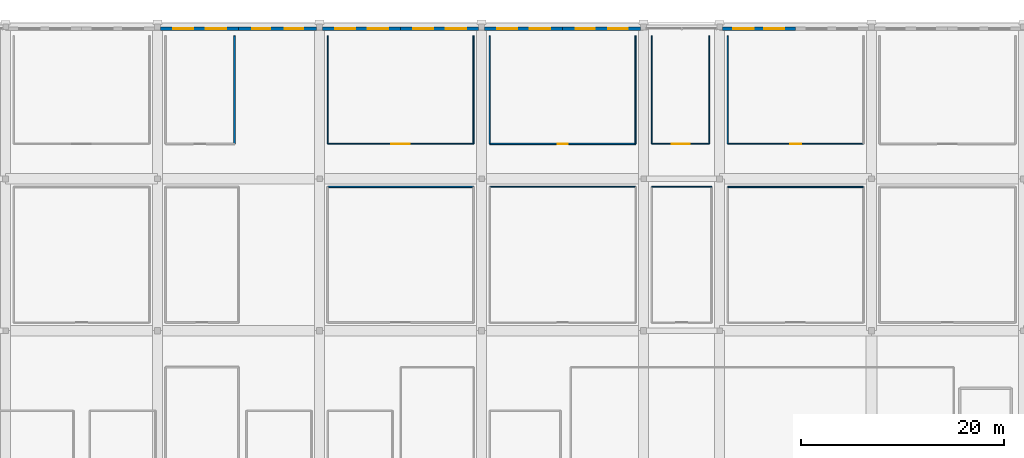
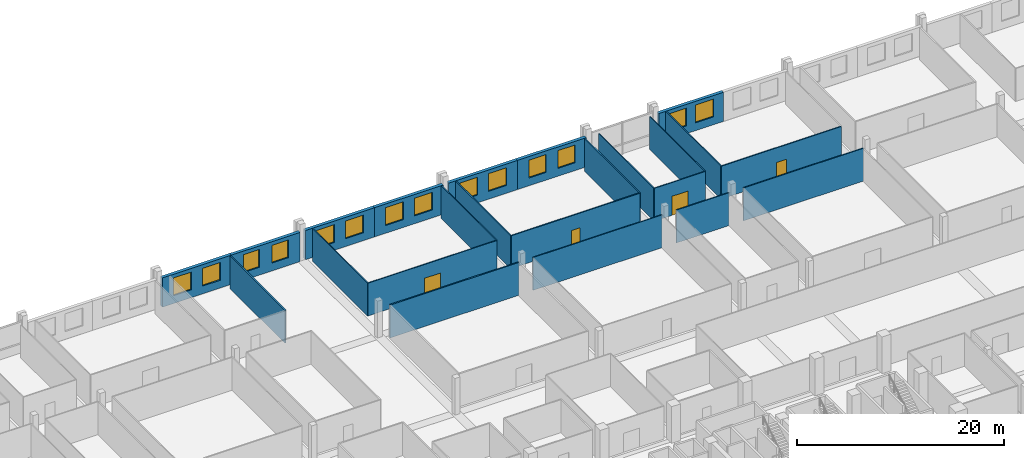
# One storey, part 51 of 68: 23 walls, 14 windows, 4 doors, 18 openings.
"""IFC4 building model written with IfcOpenShell, lengths in metres."""

from ifc_helpers import new_model, si_unit, direction, frame, frame_2d, origin, place, context, subcontext, project, spatial, rectangle, extrude, material, layer, layer_set, type_object, element, fill, save


model = new_model("IFC4")

# Units and contexts
model_context = context("Model", 3, precision=1e-05, world=origin(), true_north=direction((0.0, 1.0)))
body_context = subcontext(model_context, "Body", "Model", "MODEL_VIEW")
ifc_project = project(units=[si_unit("LENGTHUNIT", "METRE"), si_unit("AREAUNIT", "SQUARE_METRE"), si_unit("VOLUMEUNIT", "CUBIC_METRE"), si_unit("PLANEANGLEUNIT", "RADIAN"), si_unit("MASSUNIT", "GRAM", prefix="KILO")], contexts=[model_context])

# Site, building, storey
site_placement = place(None, origin())
site = spatial("IfcSite", under=ifc_project, at=site_placement, CompositionType="ELEMENT")
building_placement = place(site_placement, origin())
building = spatial("IfcBuilding", under=site, at=building_placement, Name="Akrevak Sports Hall", CompositionType="ELEMENT")
storey_placement = place(building_placement, frame((0.0, 0.0, 9.39990234375)))
storey = spatial("IfcBuildingStorey", under=building, at=storey_placement, Name="L02", CompositionType="ELEMENT", Elevation=9.39990234375)

# Wall, openings, windows
ifc_material_1 = material(Name="Limestone Ashlar", Category="stone")
ifc_layer_1 = layer(ifc_material_1, 0.080078125, Name="Limestone Ashlar")
ifc_material_2 = material(Name="Mineral Wool Thermal Insulation", Category="insulation")
ifc_layer_2 = layer(ifc_material_2, 0.10009765625, Name="Mineral Wool Thermal Insulation")
ifc_material_3 = material(Name="Concrete C40/50", Category="concrete")
ifc_layer_3 = layer(ifc_material_3, 0.179931640625, Name="Concrete C40/50")
ifc_layer_set_1 = layer_set([ifc_layer_1, ifc_layer_2, ifc_layer_3], Name="Limestone Ashlar / Mineral Wool Thermal Insulation / Concrete C40/50")
wall_type_1 = type_object("IfcWallType", Name="ARC-WL-EXT-360", PredefinedType="SOLIDWALL", material=ifc_layer_set_1)
wall_1_placement = place(storey_placement, frame((68.0, 113.820068359375, 0.0), z_axis=(0.0, 0.0, 1.0), x_axis=(-1.0, 0.0, 0.0)))
wall_1 = element("IfcWall", 1, at=wall_1_placement, inside=storey, type_object=wall_type_1, Name="Exterior Limestone Wall L02-N09", PredefinedType="SOLIDWALL", context=body_context, shape_type="SweptSolid", body=[
    extrude(rectangle(XDim=7.699951171875, YDim=0.360107421875, at=frame_2d((3.85009765625, 0.0))), origin(), (0.0, 0.0, 1.0), 3.4501953125),
])
opening_1_placement = place(wall_1_placement, frame((4.467041015625, 0.0, 0.919921875)))
opening_1 = element("IfcOpeningElement", 2, at=opening_1_placement, cuts=wall_1, Name="Opening WN-36", PredefinedType="OPENING", context=body_context, shape_type="SweptSolid", body=[
    extrude(rectangle(XDim=2.0, YDim=2.10009765625, at=frame_2d((1.0, 1.050048828125))), frame((0.0, 0.19189453125, 0.0), z_axis=(0.0, -1.0, 0.0), x_axis=(1.0, 0.0, 0.0)), (0.0, 0.0, 1.0), 0.384033203125),
])
opening_2_placement = place(wall_1_placement, frame((1.23291015625, 0.0, 0.919921875)))
opening_2 = element("IfcOpeningElement", 3, at=opening_2_placement, cuts=wall_1, Name="Opening WN-36", PredefinedType="OPENING", context=body_context, shape_type="SweptSolid", body=[
    extrude(rectangle(XDim=2.0, YDim=2.10009765625, at=frame_2d((1.0, 1.050048828125))), frame((0.0, 0.19189453125, 0.0), z_axis=(0.0, -1.0, 0.0), x_axis=(1.0, 0.0, 0.0)), (0.0, 0.0, 1.0), 0.384033203125),
])
ifc_material_4 = material(Name="Thermally Broken Bronze Frame & Double Low-E Glass", Category="glass")
window_type_1 = type_object("IfcWindowType", Name="ARC-WIN-SZ-2000x2100", PartitioningType="SINGLE_PANEL", PredefinedType="WINDOW", material=ifc_material_4)
window_1_placement = place(opening_1_placement, origin())
window_1 = element("IfcWindow", 4, at=window_1_placement, inside=storey, type_object=window_type_1, Name="Beaux-Arts Facade Window WIN-L02-N09-1", OverallHeight=2.10009765625, OverallWidth=2.0, PartitioningType="SINGLE_PANEL", PredefinedType="WINDOW", context=body_context, shape_type="SweptSolid", body=[
    extrude(rectangle(XDim=2.0, YDim=2.10009765625, at=frame_2d((1.0, 1.050048828125))), frame((0.0, 0.030029296875, 0.0), z_axis=(0.0, -1.0, 0.0), x_axis=(1.0, 0.0, 0.0)), (0.0, 0.0, 1.0), 0.06005859375),
])
fill(opening_1, window_1)
window_2_placement = place(opening_2_placement, origin())
window_2 = element("IfcWindow", 5, at=window_2_placement, inside=storey, type_object=window_type_1, Name="Beaux-Arts Facade Window WIN-L02-N09-2", OverallHeight=2.10009765625, OverallWidth=2.0, PartitioningType="SINGLE_PANEL", PredefinedType="WINDOW", context=body_context, shape_type="SweptSolid", body=[
    extrude(rectangle(XDim=2.0, YDim=2.10009765625, at=frame_2d((1.0, 1.050048828125))), frame((0.0, 0.030029296875, 0.0), z_axis=(0.0, -1.0, 0.0), x_axis=(1.0, 0.0, 0.0)), (0.0, 0.0, 1.0), 0.06005859375),
])
fill(opening_2, window_2)

wall_2_placement = place(storey_placement, frame((75.699951171875, 113.820068359375, 0.0), z_axis=(0.0, 0.0, 1.0), x_axis=(-1.0, 0.0, 0.0)))
wall_2 = element("IfcWall", 6, at=wall_2_placement, inside=storey, type_object=wall_type_1, Name="Exterior Limestone Wall L02-N10", PredefinedType="SOLIDWALL", context=body_context, shape_type="SweptSolid", body=[
    extrude(rectangle(XDim=7.699951171875, YDim=0.360107421875, at=frame_2d((3.85009765625, 0.0))), origin(), (0.0, 0.0, 1.0), 3.4501953125),
])
opening_3_placement = place(wall_2_placement, frame((4.56689453125, 0.0, 0.919921875)))
opening_3 = element("IfcOpeningElement", 7, at=opening_3_placement, cuts=wall_2, Name="Opening WN-37", PredefinedType="OPENING", context=body_context, shape_type="SweptSolid", body=[
    extrude(rectangle(XDim=1.800048828125, YDim=2.10009765625, at=frame_2d((0.89990234375, 1.050048828125))), frame((0.0, 0.19189453125, 0.0), z_axis=(0.0, -1.0, 0.0), x_axis=(1.0, 0.0, 0.0)), (0.0, 0.0, 1.0), 0.384033203125),
])
opening_4_placement = place(wall_2_placement, frame((1.3330078125, 0.0, 0.919921875)))
opening_4 = element("IfcOpeningElement", 8, at=opening_4_placement, cuts=wall_2, Name="Opening WN-37", PredefinedType="OPENING", context=body_context, shape_type="SweptSolid", body=[
    extrude(rectangle(XDim=1.800048828125, YDim=2.10009765625, at=frame_2d((0.89990234375, 1.050048828125))), frame((0.0, 0.19189453125, 0.0), z_axis=(0.0, -1.0, 0.0), x_axis=(1.0, 0.0, 0.0)), (0.0, 0.0, 1.0), 0.384033203125),
])
window_type_2 = type_object("IfcWindowType", Name="ARC-WIN-SZ-1800x2100", PartitioningType="SINGLE_PANEL", PredefinedType="WINDOW", material=ifc_material_4)
window_3_placement = place(opening_3_placement, origin())
window_3 = element("IfcWindow", 9, at=window_3_placement, inside=storey, type_object=window_type_2, Name="Beaux-Arts Facade Window WIN-L02-N10-1", OverallHeight=2.10009765625, OverallWidth=1.800048828125, PartitioningType="SINGLE_PANEL", PredefinedType="WINDOW", context=body_context, shape_type="SweptSolid", body=[
    extrude(rectangle(XDim=1.800048828125, YDim=2.10009765625, at=frame_2d((0.89990234375, 1.050048828125))), frame((0.0, 0.030029296875, 0.0), z_axis=(0.0, -1.0, 0.0), x_axis=(1.0, 0.0, 0.0)), (0.0, 0.0, 1.0), 0.06005859375),
])
fill(opening_3, window_3)
window_4_placement = place(opening_4_placement, origin())
window_4 = element("IfcWindow", 10, at=window_4_placement, inside=storey, type_object=window_type_2, Name="Beaux-Arts Facade Window WIN-L02-N10-2", OverallHeight=2.10009765625, OverallWidth=1.800048828125, PartitioningType="SINGLE_PANEL", PredefinedType="WINDOW", context=body_context, shape_type="SweptSolid", body=[
    extrude(rectangle(XDim=1.800048828125, YDim=2.10009765625, at=frame_2d((0.89990234375, 1.050048828125))), frame((0.0, 0.030029296875, 0.0), z_axis=(0.0, -1.0, 0.0), x_axis=(1.0, 0.0, 0.0)), (0.0, 0.0, 1.0), 0.06005859375),
])
fill(opening_4, window_4)

wall_3_placement = place(storey_placement, frame((84.0, 113.820068359375, 0.0), z_axis=(0.0, 0.0, 1.0), x_axis=(-1.0, 0.0, 0.0)))
wall_3 = element("IfcWall", 11, at=wall_3_placement, inside=storey, type_object=wall_type_1, Name="Exterior Limestone Wall L02-N11", PredefinedType="SOLIDWALL", context=body_context, shape_type="SweptSolid", body=[
    extrude(rectangle(XDim=7.699951171875, YDim=0.360107421875, at=frame_2d((3.85009765625, 0.0))), origin(), (0.0, 0.0, 1.0), 3.4501953125),
])
opening_5_placement = place(wall_3_placement, frame((4.467041015625, 0.0, 0.919921875)))
opening_5 = element("IfcOpeningElement", 12, at=opening_5_placement, cuts=wall_3, Name="Opening WN-36", PredefinedType="OPENING", context=body_context, shape_type="SweptSolid", body=[
    extrude(rectangle(XDim=2.0, YDim=2.10009765625, at=frame_2d((1.0, 1.050048828125))), frame((0.0, 0.19189453125, 0.0), z_axis=(0.0, -1.0, 0.0), x_axis=(1.0, 0.0, 0.0)), (0.0, 0.0, 1.0), 0.384033203125),
])
opening_6_placement = place(wall_3_placement, frame((1.23291015625, 0.0, 0.919921875)))
opening_6 = element("IfcOpeningElement", 13, at=opening_6_placement, cuts=wall_3, Name="Opening WN-36", PredefinedType="OPENING", context=body_context, shape_type="SweptSolid", body=[
    extrude(rectangle(XDim=2.0, YDim=2.10009765625, at=frame_2d((1.0, 1.050048828125))), frame((0.0, 0.19189453125, 0.0), z_axis=(0.0, -1.0, 0.0), x_axis=(1.0, 0.0, 0.0)), (0.0, 0.0, 1.0), 0.384033203125),
])
window_5_placement = place(opening_5_placement, origin())
window_5 = element("IfcWindow", 14, at=window_5_placement, inside=storey, type_object=window_type_1, Name="Beaux-Arts Facade Window WIN-L02-N11-1", OverallHeight=2.10009765625, OverallWidth=2.0, PartitioningType="SINGLE_PANEL", PredefinedType="WINDOW", context=body_context, shape_type="SweptSolid", body=[
    extrude(rectangle(XDim=2.0, YDim=2.10009765625, at=frame_2d((1.0, 1.050048828125))), frame((0.0, 0.030029296875, 0.0), z_axis=(0.0, -1.0, 0.0), x_axis=(1.0, 0.0, 0.0)), (0.0, 0.0, 1.0), 0.06005859375),
])
fill(opening_5, window_5)
window_6_placement = place(opening_6_placement, origin())
window_6 = element("IfcWindow", 15, at=window_6_placement, inside=storey, type_object=window_type_1, Name="Beaux-Arts Facade Window WIN-L02-N11-2", OverallHeight=2.10009765625, OverallWidth=2.0, PartitioningType="SINGLE_PANEL", PredefinedType="WINDOW", context=body_context, shape_type="SweptSolid", body=[
    extrude(rectangle(XDim=2.0, YDim=2.10009765625, at=frame_2d((1.0, 1.050048828125))), frame((0.0, 0.030029296875, 0.0), z_axis=(0.0, -1.0, 0.0), x_axis=(1.0, 0.0, 0.0)), (0.0, 0.0, 1.0), 0.06005859375),
])
fill(opening_6, window_6)

wall_4_placement = place(storey_placement, frame((91.699951171875, 113.820068359375, 0.0), z_axis=(0.0, 0.0, 1.0), x_axis=(-1.0, 0.0, 0.0)))
wall_4 = element("IfcWall", 16, at=wall_4_placement, inside=storey, type_object=wall_type_1, Name="Exterior Limestone Wall L02-N12", PredefinedType="SOLIDWALL", context=body_context, shape_type="SweptSolid", body=[
    extrude(rectangle(XDim=7.699951171875, YDim=0.360107421875, at=frame_2d((3.85009765625, 0.0))), origin(), (0.0, 0.0, 1.0), 3.4501953125),
])
opening_7_placement = place(wall_4_placement, frame((4.467041015625, 0.0, 0.919921875)))
opening_7 = element("IfcOpeningElement", 17, at=opening_7_placement, cuts=wall_4, Name="Opening WN-36", PredefinedType="OPENING", context=body_context, shape_type="SweptSolid", body=[
    extrude(rectangle(XDim=2.0, YDim=2.10009765625, at=frame_2d((1.0, 1.050048828125))), frame((0.0, 0.19189453125, 0.0), z_axis=(0.0, -1.0, 0.0), x_axis=(1.0, 0.0, 0.0)), (0.0, 0.0, 1.0), 0.384033203125),
])
opening_8_placement = place(wall_4_placement, frame((1.23291015625, 0.0, 0.919921875)))
opening_8 = element("IfcOpeningElement", 18, at=opening_8_placement, cuts=wall_4, Name="Opening WN-36", PredefinedType="OPENING", context=body_context, shape_type="SweptSolid", body=[
    extrude(rectangle(XDim=2.0, YDim=2.10009765625, at=frame_2d((1.0, 1.050048828125))), frame((0.0, 0.19189453125, 0.0), z_axis=(0.0, -1.0, 0.0), x_axis=(1.0, 0.0, 0.0)), (0.0, 0.0, 1.0), 0.384033203125),
])
window_7_placement = place(opening_7_placement, origin())
window_7 = element("IfcWindow", 19, at=window_7_placement, inside=storey, type_object=window_type_1, Name="Beaux-Arts Facade Window WIN-L02-N12-1", OverallHeight=2.10009765625, OverallWidth=2.0, PartitioningType="SINGLE_PANEL", PredefinedType="WINDOW", context=body_context, shape_type="SweptSolid", body=[
    extrude(rectangle(XDim=2.0, YDim=2.10009765625, at=frame_2d((1.0, 1.050048828125))), frame((0.0, 0.030029296875, 0.0), z_axis=(0.0, -1.0, 0.0), x_axis=(1.0, 0.0, 0.0)), (0.0, 0.0, 1.0), 0.06005859375),
])
fill(opening_7, window_7)
window_8_placement = place(opening_8_placement, origin())
window_8 = element("IfcWindow", 20, at=window_8_placement, inside=storey, type_object=window_type_1, Name="Beaux-Arts Facade Window WIN-L02-N12-2", OverallHeight=2.10009765625, OverallWidth=2.0, PartitioningType="SINGLE_PANEL", PredefinedType="WINDOW", context=body_context, shape_type="SweptSolid", body=[
    extrude(rectangle(XDim=2.0, YDim=2.10009765625, at=frame_2d((1.0, 1.050048828125))), frame((0.0, 0.030029296875, 0.0), z_axis=(0.0, -1.0, 0.0), x_axis=(1.0, 0.0, 0.0)), (0.0, 0.0, 1.0), 0.06005859375),
])
fill(opening_8, window_8)

wall_5_placement = place(storey_placement, frame((100.0, 113.820068359375, 0.0), z_axis=(0.0, 0.0, 1.0), x_axis=(-1.0, 0.0, 0.0)))
wall_5 = element("IfcWall", 21, at=wall_5_placement, inside=storey, type_object=wall_type_1, Name="Exterior Limestone Wall L02-N13", PredefinedType="SOLIDWALL", context=body_context, shape_type="SweptSolid", body=[
    extrude(rectangle(XDim=7.699951171875, YDim=0.360107421875, at=frame_2d((3.85009765625, 0.0))), origin(), (0.0, 0.0, 1.0), 3.4501953125),
])
opening_9_placement = place(wall_5_placement, frame((4.467041015625, 0.0, 0.919921875)))
opening_9 = element("IfcOpeningElement", 22, at=opening_9_placement, cuts=wall_5, Name="Opening WN-36", PredefinedType="OPENING", context=body_context, shape_type="SweptSolid", body=[
    extrude(rectangle(XDim=2.0, YDim=2.10009765625, at=frame_2d((1.0, 1.050048828125))), frame((0.0, 0.19189453125, 0.0), z_axis=(0.0, -1.0, 0.0), x_axis=(1.0, 0.0, 0.0)), (0.0, 0.0, 1.0), 0.384033203125),
])
opening_10_placement = place(wall_5_placement, frame((1.23291015625, 0.0, 0.919921875)))
opening_10 = element("IfcOpeningElement", 23, at=opening_10_placement, cuts=wall_5, Name="Opening WN-36", PredefinedType="OPENING", context=body_context, shape_type="SweptSolid", body=[
    extrude(rectangle(XDim=2.0, YDim=2.10009765625, at=frame_2d((1.0, 1.050048828125))), frame((0.0, 0.19189453125, 0.0), z_axis=(0.0, -1.0, 0.0), x_axis=(1.0, 0.0, 0.0)), (0.0, 0.0, 1.0), 0.384033203125),
])
window_9_placement = place(opening_9_placement, origin())
window_9 = element("IfcWindow", 24, at=window_9_placement, inside=storey, type_object=window_type_1, Name="Beaux-Arts Facade Window WIN-L02-N13-1", OverallHeight=2.10009765625, OverallWidth=2.0, PartitioningType="SINGLE_PANEL", PredefinedType="WINDOW", context=body_context, shape_type="SweptSolid", body=[
    extrude(rectangle(XDim=2.0, YDim=2.10009765625, at=frame_2d((1.0, 1.050048828125))), frame((0.0, 0.030029296875, 0.0), z_axis=(0.0, -1.0, 0.0), x_axis=(1.0, 0.0, 0.0)), (0.0, 0.0, 1.0), 0.06005859375),
])
fill(opening_9, window_9)
window_10_placement = place(opening_10_placement, origin())
window_10 = element("IfcWindow", 25, at=window_10_placement, inside=storey, type_object=window_type_1, Name="Beaux-Arts Facade Window WIN-L02-N13-2", OverallHeight=2.10009765625, OverallWidth=2.0, PartitioningType="SINGLE_PANEL", PredefinedType="WINDOW", context=body_context, shape_type="SweptSolid", body=[
    extrude(rectangle(XDim=2.0, YDim=2.10009765625, at=frame_2d((1.0, 1.050048828125))), frame((0.0, 0.030029296875, 0.0), z_axis=(0.0, -1.0, 0.0), x_axis=(1.0, 0.0, 0.0)), (0.0, 0.0, 1.0), 0.06005859375),
])
fill(opening_10, window_10)

wall_6_placement = place(storey_placement, frame((107.699951171875, 113.820068359375, 0.0), z_axis=(0.0, 0.0, 1.0), x_axis=(-1.0, 0.0, 0.0)))
wall_6 = element("IfcWall", 26, at=wall_6_placement, inside=storey, type_object=wall_type_1, Name="Exterior Limestone Wall L02-N14", PredefinedType="SOLIDWALL", context=body_context, shape_type="SweptSolid", body=[
    extrude(rectangle(XDim=7.699951171875, YDim=0.360107421875, at=frame_2d((3.85009765625, 0.0))), origin(), (0.0, 0.0, 1.0), 3.4501953125),
])
opening_11_placement = place(wall_6_placement, frame((4.51708984375, 0.0, 0.919921875)))
opening_11 = element("IfcOpeningElement", 27, at=opening_11_placement, cuts=wall_6, Name="Opening WN-38", PredefinedType="OPENING", context=body_context, shape_type="SweptSolid", body=[
    extrude(rectangle(XDim=1.89990234375, YDim=2.10009765625, at=frame_2d((0.949951171875, 1.050048828125))), frame((0.0, 0.19189453125, 0.0), z_axis=(0.0, -1.0, 0.0), x_axis=(1.0, 0.0, 0.0)), (0.0, 0.0, 1.0), 0.384033203125),
])
opening_12_placement = place(wall_6_placement, frame((1.282958984375, 0.0, 0.919921875)))
opening_12 = element("IfcOpeningElement", 28, at=opening_12_placement, cuts=wall_6, Name="Opening WN-38", PredefinedType="OPENING", context=body_context, shape_type="SweptSolid", body=[
    extrude(rectangle(XDim=1.89990234375, YDim=2.10009765625, at=frame_2d((0.949951171875, 1.050048828125))), frame((0.0, 0.19189453125, 0.0), z_axis=(0.0, -1.0, 0.0), x_axis=(1.0, 0.0, 0.0)), (0.0, 0.0, 1.0), 0.384033203125),
])
window_type_3 = type_object("IfcWindowType", Name="ARC-WIN-SZ-1900x2100", PartitioningType="SINGLE_PANEL", PredefinedType="WINDOW", material=ifc_material_4)
window_11_placement = place(opening_11_placement, origin())
window_11 = element("IfcWindow", 29, at=window_11_placement, inside=storey, type_object=window_type_3, Name="Beaux-Arts Facade Window WIN-L02-N14-1", OverallHeight=2.10009765625, OverallWidth=1.89990234375, PartitioningType="SINGLE_PANEL", PredefinedType="WINDOW", context=body_context, shape_type="SweptSolid", body=[
    extrude(rectangle(XDim=1.89990234375, YDim=2.10009765625, at=frame_2d((0.949951171875, 1.050048828125))), frame((0.0, 0.030029296875, 0.0), z_axis=(0.0, -1.0, 0.0), x_axis=(1.0, 0.0, 0.0)), (0.0, 0.0, 1.0), 0.06005859375),
])
fill(opening_11, window_11)
window_12_placement = place(opening_12_placement, origin())
window_12 = element("IfcWindow", 30, at=window_12_placement, inside=storey, type_object=window_type_3, Name="Beaux-Arts Facade Window WIN-L02-N14-2", OverallHeight=2.10009765625, OverallWidth=1.89990234375, PartitioningType="SINGLE_PANEL", PredefinedType="WINDOW", context=body_context, shape_type="SweptSolid", body=[
    extrude(rectangle(XDim=1.89990234375, YDim=2.10009765625, at=frame_2d((0.949951171875, 1.050048828125))), frame((0.0, 0.030029296875, 0.0), z_axis=(0.0, -1.0, 0.0), x_axis=(1.0, 0.0, 0.0)), (0.0, 0.0, 1.0), 0.06005859375),
])
fill(opening_12, window_12)

wall_7_placement = place(storey_placement, frame((123.0, 113.820068359375, 0.0), z_axis=(0.0, 0.0, 1.0), x_axis=(-1.0, 0.0, 0.0)))
wall_7 = element("IfcWall", 31, at=wall_7_placement, inside=storey, type_object=wall_type_1, Name="Exterior Limestone Wall L02-N16", PredefinedType="SOLIDWALL", context=body_context, shape_type="SweptSolid", body=[
    extrude(rectangle(XDim=7.22509765625, YDim=0.360107421875, at=frame_2d((3.612548828125, 0.0))), origin(), (0.0, 0.0, 1.0), 3.4501953125),
])
opening_13_placement = place(wall_7_placement, frame((4.1298828125, 0.0, 0.919921875)))
opening_13 = element("IfcOpeningElement", 32, at=opening_13_placement, cuts=wall_7, Name="Opening WN-36", PredefinedType="OPENING", context=body_context, shape_type="SweptSolid", body=[
    extrude(rectangle(XDim=2.0, YDim=2.10009765625, at=frame_2d((1.0, 1.050048828125))), frame((0.0, 0.19189453125, 0.0), z_axis=(0.0, -1.0, 0.0), x_axis=(1.0, 0.0, 0.0)), (0.0, 0.0, 1.0), 0.384033203125),
])
opening_14_placement = place(wall_7_placement, frame((1.09521484375, 0.0, 0.919921875)))
opening_14 = element("IfcOpeningElement", 33, at=opening_14_placement, cuts=wall_7, Name="Opening WN-36", PredefinedType="OPENING", context=body_context, shape_type="SweptSolid", body=[
    extrude(rectangle(XDim=2.0, YDim=2.10009765625, at=frame_2d((1.0, 1.050048828125))), frame((0.0, 0.19189453125, 0.0), z_axis=(0.0, -1.0, 0.0), x_axis=(1.0, 0.0, 0.0)), (0.0, 0.0, 1.0), 0.384033203125),
])
window_13_placement = place(opening_13_placement, origin())
window_13 = element("IfcWindow", 34, at=window_13_placement, inside=storey, type_object=window_type_1, Name="Beaux-Arts Facade Window WIN-L02-N16-1", OverallHeight=2.10009765625, OverallWidth=2.0, PartitioningType="SINGLE_PANEL", PredefinedType="WINDOW", context=body_context, shape_type="SweptSolid", body=[
    extrude(rectangle(XDim=2.0, YDim=2.10009765625, at=frame_2d((1.0, 1.050048828125))), frame((0.0, 0.030029296875, 0.0), z_axis=(0.0, -1.0, 0.0), x_axis=(1.0, 0.0, 0.0)), (0.0, 0.0, 1.0), 0.06005859375),
])
fill(opening_13, window_13)
window_14_placement = place(opening_14_placement, origin())
window_14 = element("IfcWindow", 35, at=window_14_placement, inside=storey, type_object=window_type_1, Name="Beaux-Arts Facade Window WIN-L02-N16-2", OverallHeight=2.10009765625, OverallWidth=2.0, PartitioningType="SINGLE_PANEL", PredefinedType="WINDOW", context=body_context, shape_type="SweptSolid", body=[
    extrude(rectangle(XDim=2.0, YDim=2.10009765625, at=frame_2d((1.0, 1.050048828125))), frame((0.0, 0.030029296875, 0.0), z_axis=(0.0, -1.0, 0.0), x_axis=(1.0, 0.0, 0.0)), (0.0, 0.0, 1.0), 0.06005859375),
])
fill(opening_14, window_14)

# Wall
ifc_material_5 = material(Name="Sanitary Cubicle Partition", Category="gypsum")
ifc_layer_4 = layer(ifc_material_5, 0.10009765625, Name="Sanitary Cubicle Partition")
ifc_layer_set_2 = layer_set([ifc_layer_4], Name="Sanitary Cubicle Partition")
wall_type_2 = type_object("IfcWallType", Name="ARC-WL-PRT-100", PredefinedType="PARTITIONING", material=ifc_layer_set_2)
wall_8_placement = place(storey_placement, frame((92.800048828125, 98.199951171875, 0.0), z_axis=(0.0, 0.0, 1.0), x_axis=(1.0, 0.0, 0.0)))
element("IfcWall", 36, at=wall_8_placement, inside=storey, type_object=wall_type_2, Name="Interior Partition Sports Federation Training Office L02-8 (N)", PredefinedType="PARTITIONING", context=body_context, shape_type="SweptSolid", body=[
    extrude(rectangle(XDim=14.39990234375, YDim=0.10009765625, at=frame_2d((7.199951171875, 0.0))), origin(), (0.0, 0.0, 1.0), 3.880126953125),
])

# Wall, opening, door
wall_9_placement = place(storey_placement, frame((108.800048828125, 102.449951171875, 0.0), z_axis=(0.0, 0.0, 1.0), x_axis=(1.0, 0.0, 0.0)))
wall_9 = element("IfcWall", 37, at=wall_9_placement, inside=storey, type_object=wall_type_2, Name="Interior Partition Competition Equipment Storage L02-9 (S)", PredefinedType="PARTITIONING", context=body_context, shape_type="SweptSolid", body=[
    extrude(rectangle(XDim=5.699951171875, YDim=0.10009765625, at=frame_2d((2.85009765625, 0.0))), origin(), (0.0, 0.0, 1.0), 3.880126953125),
])
opening_15_placement = place(wall_9_placement, frame((1.949951171875, 0.0, 0.0)))
opening_15 = element("IfcOpeningElement", 38, at=opening_15_placement, cuts=wall_9, Name="Opening ID-02", PredefinedType="OPENING", context=body_context, shape_type="SweptSolid", body=[
    extrude(rectangle(XDim=1.800048828125, YDim=2.25, at=frame_2d((0.89990234375, 1.125))), frame((0.0, 0.06201171875, 0.0), z_axis=(0.0, -1.0, 0.0), x_axis=(1.0, 0.0, 0.0)), (0.0, 0.0, 1.0), 0.1240234375),
])
ifc_material_6 = material(Name="Hardwood Oak & Safety Glass", Category="wood")
door_type_1 = type_object("IfcDoorType", Name="ARC-DR-HALL-180x225", OperationType="DOUBLE_DOOR_SINGLE_SWING", PredefinedType="DOOR", material=ifc_material_6)
door_1_placement = place(opening_15_placement, origin())
door_1 = element("IfcDoor", 39, at=door_1_placement, inside=storey, type_object=door_type_1, Name="Door to Competition Equipment Storage L02-9", OperationType="DOUBLE_DOOR_SINGLE_SWING", OverallHeight=2.25, OverallWidth=1.800048828125, PredefinedType="DOOR", context=body_context, shape_type="SweptSolid", body=[
    extrude(rectangle(XDim=1.800048828125, YDim=2.25, at=frame_2d((0.89990234375, 1.125))), frame((0.0, 0.02490234375, 0.0), z_axis=(0.0, -1.0, 0.0), x_axis=(1.0, 0.0, 0.0)), (0.0, 0.0, 1.0), 0.050048828125),
])
fill(opening_15, door_1)

# Walls
for number, where, z_axis, x_axis, name in (
    (40, (108.800048828125, 102.449951171875, 0.0), (0.0, 0.0, 1.0), (0.0, 1.0, 0.0), "Interior Partition Competition Equipment Storage L02-9 (W)"),
    (41, (114.5, 102.449951171875, 0.0), (0.0, 0.0, 1.0), (0.0, 1.0, 0.0), "Interior Partition Competition Equipment Storage L02-9 (E)"),
):
    element("IfcWall", number, at=place(storey_placement, frame(where, z_axis=z_axis, x_axis=x_axis)), inside=storey, type_object=wall_type_2, Name=name, PredefinedType="PARTITIONING", context=body_context, shape_type="SweptSolid", body=[
        extrude(rectangle(XDim=10.650146484375, YDim=0.10009765625, at=frame_2d((5.3251953125, 0.0))), origin(), (0.0, 0.0, 1.0), 3.880126953125),
    ])
ifc_material_7 = material(Name="Lightweight Office Partition", Category="gypsum")
ifc_layer_5 = layer(ifc_material_7, 0.110107421875, Name="Lightweight Office Partition")
ifc_layer_set_3 = layer_set([ifc_layer_5], Name="Lightweight Office Partition")
wall_type_3 = type_object("IfcWallType", Name="ARC-WL-PRT-110", PredefinedType="PARTITIONING", material=ifc_layer_set_3)
wall_10_placement = place(storey_placement, frame((108.800048828125, 98.199951171875, 0.0), z_axis=(0.0, 0.0, 1.0), x_axis=(1.0, 0.0, 0.0)))
element("IfcWall", 42, at=wall_10_placement, inside=storey, type_object=wall_type_3, Name="Interior Partition Sports Clinic Recovery & Physiotherapy Room L02-9 (N)", PredefinedType="PARTITIONING", context=body_context, shape_type="SweptSolid", body=[
    extrude(rectangle(XDim=5.89990234375, YDim=0.110107421875, at=frame_2d((2.949951171875, 0.0))), origin(), (0.0, 0.0, 1.0), 3.880126953125),
])

# Wall, opening, door
wall_11_placement = place(storey_placement, frame((76.800048828125, 102.449951171875, 0.0), z_axis=(0.0, 0.0, 1.0), x_axis=(1.0, 0.0, 0.0)))
wall_11 = element("IfcWall", 43, at=wall_11_placement, inside=storey, type_object=wall_type_3, Name="Interior Partition Competition Equipment Storage L02-7 (S)", PredefinedType="PARTITIONING", context=body_context, shape_type="SweptSolid", body=[
    extrude(rectangle(XDim=14.39990234375, YDim=0.110107421875, at=frame_2d((7.199951171875, 0.0))), origin(), (0.0, 0.0, 1.0), 3.880126953125),
])
opening_16_placement = place(wall_11_placement, frame((6.300048828125, 0.0, 0.0)))
opening_16 = element("IfcOpeningElement", 44, at=opening_16_placement, cuts=wall_11, Name="Opening ID-02", PredefinedType="OPENING", context=body_context, shape_type="SweptSolid", body=[
    extrude(rectangle(XDim=1.800048828125, YDim=2.25, at=frame_2d((0.89990234375, 1.125))), frame((0.0, 0.06689453125, 0.0), z_axis=(0.0, -1.0, 0.0), x_axis=(1.0, 0.0, 0.0)), (0.0, 0.0, 1.0), 0.134033203125),
])
door_2_placement = place(opening_16_placement, origin())
door_2 = element("IfcDoor", 45, at=door_2_placement, inside=storey, type_object=door_type_1, Name="Door to Competition Equipment Storage L02-7", OperationType="DOUBLE_DOOR_SINGLE_SWING", OverallHeight=2.25, OverallWidth=1.800048828125, PredefinedType="DOOR", context=body_context, shape_type="SweptSolid", body=[
    extrude(rectangle(XDim=1.800048828125, YDim=2.25, at=frame_2d((0.89990234375, 1.125))), frame((0.0, 0.02490234375, 0.0), z_axis=(0.0, -1.0, 0.0), x_axis=(1.0, 0.0, 0.0)), (0.0, 0.0, 1.0), 0.050048828125),
])
fill(opening_16, door_2)

# Walls
for number, where, z_axis, x_axis, name in (
    (46, (76.800048828125, 102.449951171875, 0.0), (0.0, 0.0, 1.0), (0.0, 1.0, 0.0), "Interior Partition Competition Equipment Storage L02-7 (W)"),
    (47, (91.199951171875, 102.449951171875, 0.0), (0.0, 0.0, 1.0), (0.0, 1.0, 0.0), "Interior Partition Competition Equipment Storage L02-7 (E)"),
):
    element("IfcWall", number, at=place(storey_placement, frame(where, z_axis=z_axis, x_axis=x_axis)), inside=storey, type_object=wall_type_3, Name=name, PredefinedType="PARTITIONING", context=body_context, shape_type="SweptSolid", body=[
        extrude(rectangle(XDim=10.650146484375, YDim=0.110107421875, at=frame_2d((5.3251953125, 0.0))), origin(), (0.0, 0.0, 1.0), 3.880126953125),
    ])
ifc_material_8 = material(Name="Standard Metal Stud Partition", Category="gypsum")
ifc_layer_6 = layer(ifc_material_8, 0.1201171875, Name="Standard Metal Stud Partition")
ifc_layer_set_4 = layer_set([ifc_layer_6], Name="Standard Metal Stud Partition")
wall_type_4 = type_object("IfcWallType", Name="ARC-WL-PRT-120", PredefinedType="PARTITIONING", material=ifc_layer_set_4)
wall_12_placement = place(storey_placement, frame((116.300048828125, 98.199951171875, 0.0), z_axis=(0.0, 0.0, 1.0), x_axis=(1.0, 0.0, 0.0)))
element("IfcWall", 48, at=wall_12_placement, inside=storey, type_object=wall_type_4, Name="Interior Partition Athletic Gear & Equipment Storage L02-10 (N)", PredefinedType="PARTITIONING", context=body_context, shape_type="SweptSolid", body=[
    extrude(rectangle(XDim=13.39990234375, YDim=0.1201171875, at=frame_2d((6.699951171875, 0.0))), origin(), (0.0, 0.0, 1.0), 3.880126953125),
])

# Wall, opening, door
wall_13_placement = place(storey_placement, frame((116.300048828125, 102.449951171875, 0.0), z_axis=(0.0, 0.0, 1.0), x_axis=(1.0, 0.0, 0.0)))
wall_13 = element("IfcWall", 49, at=wall_13_placement, inside=storey, type_object=wall_type_4, Name="Interior Partition Federation Officiating & Records Office L02-10 (S)", PredefinedType="PARTITIONING", context=body_context, shape_type="SweptSolid", body=[
    extrude(rectangle(XDim=13.39990234375, YDim=0.1201171875, at=frame_2d((6.699951171875, 0.0))), origin(), (0.0, 0.0, 1.0), 3.880126953125),
])
opening_17_placement = place(wall_13_placement, frame((6.14990234375, 0.0, 0.0)))
opening_17 = element("IfcOpeningElement", 50, at=opening_17_placement, cuts=wall_13, Name="Opening ID-04", PredefinedType="OPENING", context=body_context, shape_type="SweptSolid", body=[
    extrude(rectangle(XDim=1.10009765625, YDim=2.14990234375, at=frame_2d((0.550048828125, 1.074951171875))), frame((0.0, 0.072021484375, 0.0), z_axis=(0.0, -1.0, 0.0), x_axis=(1.0, 0.0, 0.0)), (0.0, 0.0, 1.0), 0.14404296875),
])
ifc_material_9 = material(Name="Hardwood Oak Acoustic Leaf", Category="wood")
door_type_2 = type_object("IfcDoorType", Name="ARC-DR-OFF-110x215", OperationType="NOTDEFINED", PredefinedType="DOOR", material=ifc_material_9)
door_3_placement = place(opening_17_placement, origin())
door_3 = element("IfcDoor", 51, at=door_3_placement, inside=storey, type_object=door_type_2, Name="Door to Federation Officiating & Records Office L02-10", OperationType="SINGLE_SWING_LEFT", OverallHeight=2.14990234375, OverallWidth=1.10009765625, PredefinedType="DOOR", context=body_context, shape_type="SweptSolid", body=[
    extrude(rectangle(XDim=1.10009765625, YDim=2.14990234375, at=frame_2d((0.550048828125, 1.074951171875))), frame((0.0, 0.02490234375, 0.0), z_axis=(0.0, -1.0, 0.0), x_axis=(1.0, 0.0, 0.0)), (0.0, 0.0, 1.0), 0.050048828125),
])
fill(opening_17, door_3)

# Wall
wall_14_placement = place(storey_placement, frame((116.300048828125, 102.449951171875, 0.0), z_axis=(0.0, 0.0, 1.0), x_axis=(0.0, 1.0, 0.0)))
element("IfcWall", 52, at=wall_14_placement, inside=storey, type_object=wall_type_4, Name="Interior Partition Federation Officiating & Records Office L02-10 (W)", PredefinedType="PARTITIONING", context=body_context, shape_type="SweptSolid", body=[
    extrude(rectangle(XDim=10.650146484375, YDim=0.1201171875, at=frame_2d((5.3251953125, 0.0))), origin(), (0.0, 0.0, 1.0), 3.880126953125),
])

# Wall, opening, door
ifc_material_10 = material(Name="Acoustic Metal Stud Partition", Category="gypsum")
ifc_layer_7 = layer(ifc_material_10, 0.1298828125, Name="Acoustic Metal Stud Partition")
ifc_layer_set_5 = layer_set([ifc_layer_7], Name="Acoustic Metal Stud Partition")
wall_type_5 = type_object("IfcWallType", Name="ARC-WL-PRT-130", PredefinedType="PARTITIONING", material=ifc_layer_set_5)
wall_15_placement = place(storey_placement, frame((92.800048828125, 102.449951171875, 0.0), z_axis=(0.0, 0.0, 1.0), x_axis=(1.0, 0.0, 0.0)))
wall_15 = element("IfcWall", 53, at=wall_15_placement, inside=storey, type_object=wall_type_5, Name="Interior Partition Federation Officiating & Records Office L02-8 (S)", PredefinedType="PARTITIONING", context=body_context, shape_type="SweptSolid", body=[
    extrude(rectangle(XDim=14.39990234375, YDim=0.1298828125, at=frame_2d((7.199951171875, 0.0))), origin(), (0.0, 0.0, 1.0), 3.880126953125),
])
opening_18_placement = place(wall_15_placement, frame((6.699951171875, 0.0, 0.0)))
opening_18 = element("IfcOpeningElement", 54, at=opening_18_placement, cuts=wall_15, Name="Opening ID-06", PredefinedType="OPENING", context=body_context, shape_type="SweptSolid", body=[
    extrude(rectangle(XDim=1.0, YDim=2.14990234375, at=frame_2d((0.5, 1.074951171875))), frame((0.0, 0.076904296875, 0.0), z_axis=(0.0, -1.0, 0.0), x_axis=(1.0, 0.0, 0.0)), (0.0, 0.0, 1.0), 0.15380859375),
])
door_type_3 = type_object("IfcDoorType", Name="ARC-DR-OFF-100x215", OperationType="NOTDEFINED", PredefinedType="DOOR", material=ifc_material_9)
door_4_placement = place(opening_18_placement, frame((1.0, 0.0, 0.0), z_axis=(0.0, 0.0, 1.0), x_axis=(-1.0, 0.0, 0.0)))
door_4 = element("IfcDoor", 55, at=door_4_placement, inside=storey, type_object=door_type_3, Name="Door to Federation Officiating & Records Office L02-8", OperationType="SINGLE_SWING_RIGHT", OverallHeight=2.14990234375, OverallWidth=1.0, PredefinedType="DOOR", context=body_context, shape_type="SweptSolid", body=[
    extrude(rectangle(XDim=1.0, YDim=2.14990234375, at=frame_2d((0.5, 1.074951171875))), frame((0.0, 0.02490234375, 0.0), z_axis=(0.0, -1.0, 0.0), x_axis=(1.0, 0.0, 0.0)), (0.0, 0.0, 1.0), 0.050048828125),
])
fill(opening_18, door_4)

# Walls
for number, where, z_axis, x_axis, name in (
    (56, (92.800048828125, 102.449951171875, 0.0), (0.0, 0.0, 1.0), (0.0, 1.0, 0.0), "Interior Partition Federation Officiating & Records Office L02-8 (W)"),
    (57, (107.199951171875, 102.449951171875, 0.0), (0.0, 0.0, 1.0), (0.0, 1.0, 0.0), "Interior Partition Federation Officiating & Records Office L02-8 (E)"),
):
    element("IfcWall", number, at=place(storey_placement, frame(where, z_axis=z_axis, x_axis=x_axis)), inside=storey, type_object=wall_type_5, Name=name, PredefinedType="PARTITIONING", context=body_context, shape_type="SweptSolid", body=[
        extrude(rectangle(XDim=10.650146484375, YDim=0.1298828125, at=frame_2d((5.3251953125, 0.0))), origin(), (0.0, 0.0, 1.0), 3.880126953125),
    ])
ifc_material_11 = material(Name="Double Stud Acoustic Gypsum Partition", Category="gypsum")
ifc_layer_8 = layer(ifc_material_11, 0.14990234375, Name="Double Stud Acoustic Gypsum Partition")
ifc_layer_set_6 = layer_set([ifc_layer_8], Name="Double Stud Acoustic Gypsum Partition")
wall_type_6 = type_object("IfcWallType", Name="ARC-WL-PRT-150", PredefinedType="PARTITIONING", material=ifc_layer_set_6)
wall_16_placement = place(storey_placement, frame((76.800048828125, 98.199951171875, 0.0), z_axis=(0.0, 0.0, 1.0), x_axis=(1.0, 0.0, 0.0)))
element("IfcWall", 58, at=wall_16_placement, inside=storey, type_object=wall_type_6, Name="Interior Partition Athletic Gear & Equipment Storage L02-7 (N)", PredefinedType="PARTITIONING", context=body_context, shape_type="SweptSolid", body=[
    extrude(rectangle(XDim=14.39990234375, YDim=0.14990234375, at=frame_2d((7.199951171875, 0.0))), origin(), (0.0, 0.0, 1.0), 3.880126953125),
])
wall_17_placement = place(storey_placement, frame((67.60009765625, 102.449951171875, 0.0), z_axis=(0.0, 0.0, 1.0), x_axis=(0.0, 1.0, 0.0)))
element("IfcWall", 59, at=wall_17_placement, inside=storey, type_object=wall_type_6, Name="Interior Partition Federation Officiating & Records Office L02-6 (E)", PredefinedType="PARTITIONING", context=body_context, shape_type="SweptSolid", body=[
    extrude(rectangle(XDim=10.650146484375, YDim=0.14990234375, at=frame_2d((5.3251953125, 0.0))), origin(), (0.0, 0.0, 1.0), 3.880126953125),
])

save(model, "model.ifc")
